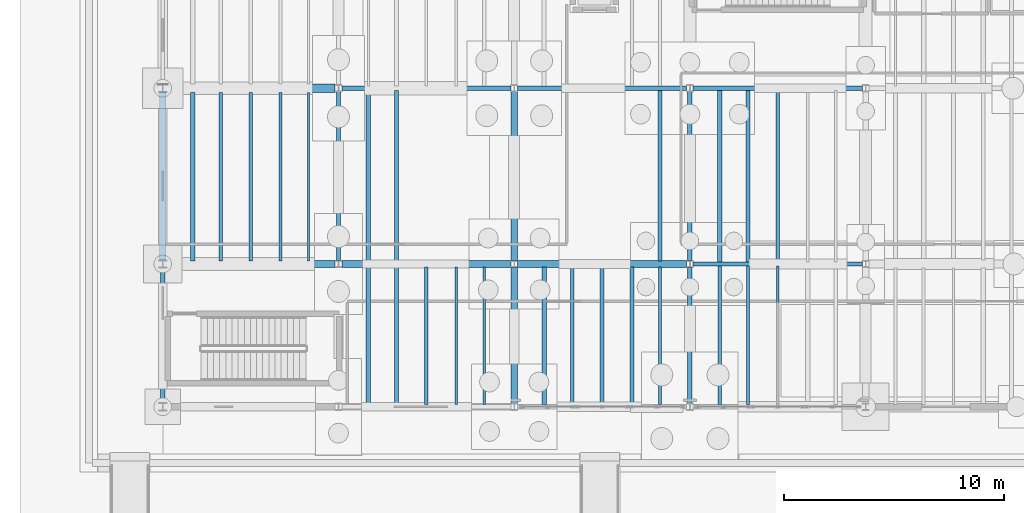
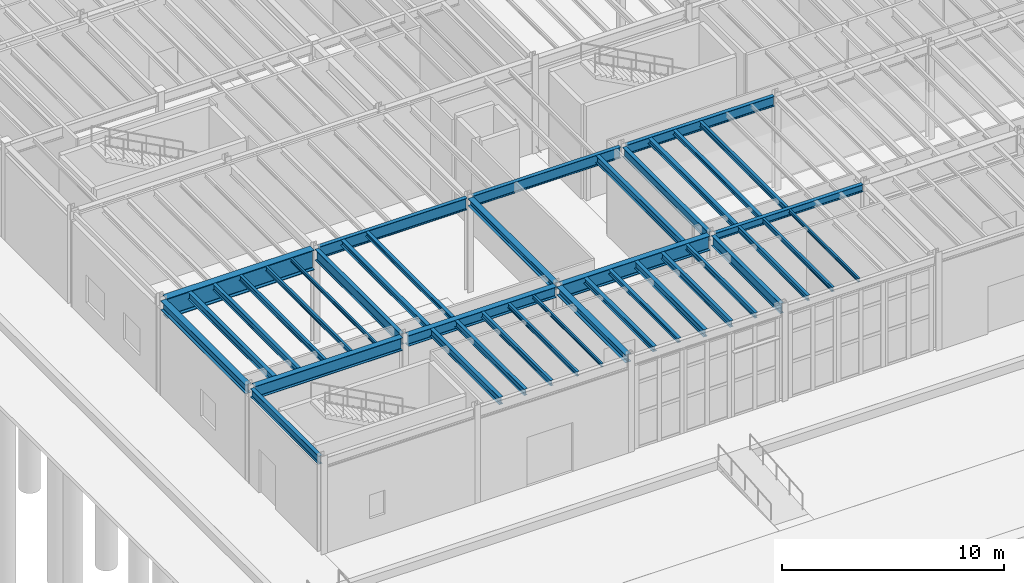
# One storey, part 23 of 86: 39 beams.
"""IFC4 building model written with IfcOpenShell, lengths in metres."""

from ifc_helpers import new_model, si_unit, direction, frame, origin, origin_2d, place, context, subcontext, project, spatial, i_section, extrude, material, material_profile, profile_set, type_object, element, save


model = new_model("IFC4")

# Units and contexts
model_context = context("Model", 3, precision=1e-05, world=origin(), true_north=direction((0.0, 1.0)))
body_context = subcontext(model_context, "Body", "Model", "MODEL_VIEW")
ifc_project = project(units=[si_unit("LENGTHUNIT", "METRE"), si_unit("AREAUNIT", "SQUARE_METRE"), si_unit("VOLUMEUNIT", "CUBIC_METRE"), si_unit("PLANEANGLEUNIT", "RADIAN"), si_unit("MASSUNIT", "GRAM", prefix="KILO"), si_unit("THERMODYNAMICTEMPERATUREUNIT", "KELVIN"), si_unit("POWERUNIT", "WATT")], contexts=[model_context])

# Site, building, storey
site_placement = place(None, origin())
site = spatial("IfcSite", under=ifc_project, at=site_placement, CompositionType="ELEMENT")
building_placement = place(site_placement, origin())
building = spatial("IfcBuilding", under=site, at=building_placement, Name="Zhenchuan Central Fire Station", CompositionType="ELEMENT")
storey_placement = place(building_placement, frame((0.0, 0.0, 0.449951171875)))
storey = spatial("IfcBuildingStorey", under=building, at=storey_placement, Name="L01", CompositionType="ELEMENT", Elevation=0.449951171875)

# Beams
ifc_material = material(Name="Steel Q355B", Category="steel")
ifc_material_profile_1 = material_profile(ifc_material, i_section(OverallWidth=0.300048828125, OverallDepth=0.389892578125, WebThickness=0.010009765625, FlangeThickness=0.01611328125, FilletRadius=0.02001953125, at=origin_2d()), Name="HM 390x300")
ifc_profile_set_1 = profile_set([ifc_material_profile_1], Name="Steel Q355B")
beam_type_1 = type_object("IfcBeamType", Name="BM-HM390-INT", PredefinedType="BEAM", material=ifc_profile_set_1)
beam_1_placement = place(storey_placement, frame((16.0, 6.64990234375, 5.005126953125), z_axis=(0.0, 1.0, 0.0), x_axis=(-1.0, 0.0, 0.0)))
element("IfcBeam", 1, at=beam_1_placement, inside=storey, type_object=beam_type_1, Name="L02 Girder NS 0118", PredefinedType="BEAM", context=body_context, shape_type="SweptSolid", body=[
    extrude(i_section(OverallWidth=0.300048828125, OverallDepth=0.389892578125, WebThickness=0.010009765625, FlangeThickness=0.01611328125, FilletRadius=0.02001953125, at=origin_2d()), origin(), (0.0, 0.0, 1.0), 7.7001953125),
])
ifc_material_profile_2 = material_profile(ifc_material, i_section(OverallWidth=0.300048828125, OverallDepth=0.43994140625, WebThickness=0.010986328125, FlangeThickness=0.01806640625, FilletRadius=0.02197265625, at=origin_2d()), Name="HM 440x300")
ifc_profile_set_2 = profile_set([ifc_material_profile_2], Name="Steel Q355B")
beam_type_2 = type_object("IfcBeamType", Name="BM-HM440-INT", PredefinedType="BEAM", material=ifc_profile_set_2)
beam_2_placement = place(storey_placement, frame((16.0, 0.14990234375, 4.97998046875), z_axis=(0.0, 1.0, 0.0), x_axis=(-1.0, 0.0, 0.0)))
element("IfcBeam", 2, at=beam_2_placement, inside=storey, type_object=beam_type_2, Name="L02 Girder NS 0117", PredefinedType="BEAM", context=body_context, shape_type="SweptSolid", body=[
    extrude(i_section(OverallWidth=0.300048828125, OverallDepth=0.43994140625, WebThickness=0.010986328125, FlangeThickness=0.01806640625, FilletRadius=0.02197265625, at=origin_2d()), origin(), (0.0, 0.0, 1.0), 6.2001953125),
])
ifc_material_profile_3 = material_profile(ifc_material, i_section(OverallWidth=0.300048828125, OverallDepth=0.5, WebThickness=0.010986328125, FlangeThickness=0.01806640625, FilletRadius=0.02197265625, at=origin_2d()), Name="HM 500x300")
ifc_profile_set_3 = profile_set([ifc_material_profile_3], Name="Steel Q355B")
beam_type_3 = type_object("IfcBeamType", Name="BM-HM500", PredefinedType="BEAM", material=ifc_profile_set_3)
beam_3_placement = place(storey_placement, frame((0.0, 6.675048828125, 4.949951171875), z_axis=(0.0, 1.0, 0.0), x_axis=(-1.0, 0.0, 0.0)))
element("IfcBeam", 3, at=beam_3_placement, inside=storey, type_object=beam_type_3, Name="L02 Girder NS 0105", PredefinedType="BEAM", context=body_context, shape_type="SweptSolid", body=[
    extrude(i_section(OverallWidth=0.300048828125, OverallDepth=0.5, WebThickness=0.010986328125, FlangeThickness=0.01806640625, FilletRadius=0.02197265625, at=origin_2d()), origin(), (0.0, 0.0, 1.0), 7.64990234375),
])
ifc_material_profile_4 = material_profile(ifc_material, i_section(OverallWidth=0.300048828125, OverallDepth=0.587890625, WebThickness=0.011962890625, FlangeThickness=0.02001953125, FilletRadius=0.02392578125, at=origin_2d()), Name="HM 588x300")
ifc_profile_set_4 = profile_set([ifc_material_profile_4], Name="Steel Q355B")
beam_type_4 = type_object("IfcBeamType", Name="BM-HM588", PredefinedType="BEAM", material=ifc_profile_set_4)
beam_4_placement = place(storey_placement, frame((8.14990234375, 6.5, 4.906005859375), z_axis=(1.0, 0.0, 0.0), x_axis=(0.0, 1.0, 0.0)))
element("IfcBeam", 4, at=beam_4_placement, inside=storey, type_object=beam_type_4, Name="L02 Girder EW 0011", PredefinedType="BEAM", context=body_context, shape_type="SweptSolid", body=[
    extrude(i_section(OverallWidth=0.300048828125, OverallDepth=0.587890625, WebThickness=0.011962890625, FlangeThickness=0.02001953125, FilletRadius=0.02392578125, at=origin_2d()), origin(), (0.0, 0.0, 1.0), 7.7001953125),
])
ifc_material_profile_5 = material_profile(ifc_material, i_section(OverallWidth=0.199951171875, OverallDepth=0.449951171875, WebThickness=0.009033203125, FlangeThickness=0.013916015625, FilletRadius=0.01806640625, at=origin_2d()), Name="HN 450x200")
ifc_profile_set_5 = profile_set([ifc_material_profile_5], Name="Steel Q355B")
beam_type_5 = type_object("IfcBeamType", Name="BM-HN450-EXT", PredefinedType="BEAM", material=ifc_profile_set_5)
beam_5_placement = place(storey_placement, frame((0.0, 0.175048828125, 4.97509765625), z_axis=(0.0, 1.0, 0.0), x_axis=(-1.0, 0.0, 0.0)))
element("IfcBeam", 5, at=beam_5_placement, inside=storey, type_object=beam_type_5, Name="L02 Girder NS 0104", PredefinedType="BEAM", context=body_context, shape_type="SweptSolid", body=[
    extrude(i_section(OverallWidth=0.199951171875, OverallDepth=0.449951171875, WebThickness=0.009033203125, FlangeThickness=0.013916015625, FilletRadius=0.01806640625, at=origin_2d()), origin(), (0.0, 0.0, 1.0), 6.14990234375),
])
ifc_material_profile_6 = material_profile(ifc_material, i_section(OverallWidth=0.199951171875, OverallDepth=0.5, WebThickness=0.010009765625, FlangeThickness=0.01611328125, FilletRadius=0.02001953125, at=origin_2d()), Name="HN 500x200")
ifc_profile_set_6 = profile_set([ifc_material_profile_6], Name="Steel Q355B")
beam_type_6 = type_object("IfcBeamType", Name="BM-HN500-INT", PredefinedType="BEAM", material=ifc_profile_set_6)
beam_6_placement = place(storey_placement, frame((24.0, 6.64990234375, 4.949951171875), z_axis=(0.0, 1.0, 0.0), x_axis=(-1.0, 0.0, 0.0)))
element("IfcBeam", 6, at=beam_6_placement, inside=storey, type_object=beam_type_6, Name="L02 Girder NS 0125", PredefinedType="BEAM", context=body_context, shape_type="SweptSolid", body=[
    extrude(i_section(OverallWidth=0.199951171875, OverallDepth=0.5, WebThickness=0.010009765625, FlangeThickness=0.01611328125, FilletRadius=0.02001953125, at=origin_2d()), origin(), (0.0, 0.0, 1.0), 7.7001953125),
])
ifc_material_profile_7 = material_profile(ifc_material, i_section(OverallWidth=0.199951171875, OverallDepth=0.550048828125, WebThickness=0.010009765625, FlangeThickness=0.01611328125, FilletRadius=0.02001953125, at=origin_2d()), Name="HN 550x200")
ifc_profile_set_7 = profile_set([ifc_material_profile_7], Name="Steel Q355B")
beam_type_7 = type_object("IfcBeamType", Name="BM-HN550-INT", PredefinedType="BEAM", material=ifc_profile_set_7)
beam_7_placement = place(storey_placement, frame((24.14990234375, 14.5, 4.925048828125), z_axis=(1.0, 0.0, 0.0), x_axis=(0.0, 1.0, 0.0)))
element("IfcBeam", 7, at=beam_7_placement, inside=storey, type_object=beam_type_7, Name="L02 Girder EW 0031", PredefinedType="BEAM", context=body_context, shape_type="SweptSolid", body=[
    extrude(i_section(OverallWidth=0.199951171875, OverallDepth=0.550048828125, WebThickness=0.010009765625, FlangeThickness=0.01611328125, FilletRadius=0.02001953125, at=origin_2d()), origin(), (0.0, 0.0, 1.0), 7.7001953125),
])
beam_8_placement = place(storey_placement, frame((24.0, 0.14990234375, 4.925048828125), z_axis=(0.0, 1.0, 0.0), x_axis=(-1.0, 0.0, 0.0)))
element("IfcBeam", 8, at=beam_8_placement, inside=storey, type_object=beam_type_7, Name="L02 Girder NS 0124", PredefinedType="BEAM", context=body_context, shape_type="SweptSolid", body=[
    extrude(i_section(OverallWidth=0.199951171875, OverallDepth=0.550048828125, WebThickness=0.010009765625, FlangeThickness=0.01611328125, FilletRadius=0.02001953125, at=origin_2d()), origin(), (0.0, 0.0, 1.0), 6.2001953125),
])
ifc_material_profile_8 = material_profile(ifc_material, i_section(OverallWidth=0.199951171875, OverallDepth=0.60009765625, WebThickness=0.010986328125, FlangeThickness=0.01708984375, FilletRadius=0.02197265625, at=origin_2d()), Name="HN 600x200")
ifc_profile_set_8 = profile_set([ifc_material_profile_8], Name="Steel Q355B")
beam_type_8 = type_object("IfcBeamType", Name="BM-HN600-INT", PredefinedType="BEAM", material=ifc_profile_set_8)
for number, where, z_axis, x_axis, name in (
    (9, (16.14990234375, 14.5, 4.900146484375), (1.0, 0.0, 0.0), (0.0, 1.0, 0.0), "L02 Girder EW 0030"),
    (10, (8.0, 6.64990234375, 4.900146484375), (0.0, 1.0, 0.0), (-1.0, 0.0, 0.0), "L02 Girder NS 0112"),
):
    element("IfcBeam", number, at=place(storey_placement, frame(where, z_axis=z_axis, x_axis=x_axis)), inside=storey, type_object=beam_type_8, Name=name, PredefinedType="BEAM", context=body_context, shape_type="SweptSolid", body=[
        extrude(i_section(OverallWidth=0.199951171875, OverallDepth=0.60009765625, WebThickness=0.010986328125, FlangeThickness=0.01708984375, FilletRadius=0.02197265625, at=origin_2d()), origin(), (0.0, 0.0, 1.0), 7.7001953125),
    ])
ifc_material_profile_9 = material_profile(ifc_material, i_section(OverallWidth=0.199951171875, OverallDepth=0.64990234375, WebThickness=0.011962890625, FlangeThickness=0.02001953125, FilletRadius=0.02197265625, at=origin_2d()), Name="HN 650x200")
ifc_profile_set_9 = profile_set([ifc_material_profile_9], Name="Steel Q355B")
beam_type_9 = type_object("IfcBeamType", Name="BM-HN650", PredefinedType="BEAM", material=ifc_profile_set_9)
beam_9_placement = place(storey_placement, frame((8.14990234375, 14.5, 4.875), z_axis=(1.0, 0.0, 0.0), x_axis=(0.0, 1.0, 0.0)))
element("IfcBeam", 11, at=beam_9_placement, inside=storey, type_object=beam_type_9, Name="L02 Girder EW 0029", PredefinedType="BEAM", context=body_context, shape_type="SweptSolid", body=[
    extrude(i_section(OverallWidth=0.199951171875, OverallDepth=0.64990234375, WebThickness=0.011962890625, FlangeThickness=0.02001953125, FilletRadius=0.02197265625, at=origin_2d()), origin(), (0.0, 0.0, 1.0), 7.7001953125),
])
ifc_material_profile_10 = material_profile(ifc_material, i_section(OverallWidth=0.300048828125, OverallDepth=0.699951171875, WebThickness=0.012939453125, FlangeThickness=0.02392578125, FilletRadius=0.02392578125, at=origin_2d()), Name="HN 700x300")
ifc_profile_set_10 = profile_set([ifc_material_profile_10], Name="Steel Q355B")
beam_type_10 = type_object("IfcBeamType", Name="BM-HN700", PredefinedType="BEAM", material=ifc_profile_set_10)
beam_10_placement = place(storey_placement, frame((0.175048828125, 6.5, 4.85009765625), z_axis=(1.0, 0.0, 0.0), x_axis=(0.0, 1.0, 0.0)))
element("IfcBeam", 12, at=beam_10_placement, inside=storey, type_object=beam_type_10, Name="L02 Girder EW 0010", PredefinedType="BEAM", context=body_context, shape_type="SweptSolid", body=[
    extrude(i_section(OverallWidth=0.300048828125, OverallDepth=0.699951171875, WebThickness=0.012939453125, FlangeThickness=0.02392578125, FilletRadius=0.02392578125, at=origin_2d()), origin(), (0.0, 0.0, 1.0), 7.675048828125),
])
ifc_material_profile_11 = material_profile(ifc_material, i_section(OverallWidth=0.300048828125, OverallDepth=0.800048828125, WebThickness=0.013916015625, FlangeThickness=0.02587890625, FilletRadius=0.02587890625, at=origin_2d()), Name="HN 800x300")
ifc_profile_set_11 = profile_set([ifc_material_profile_11], Name="Steel Q355B")
beam_type_11 = type_object("IfcBeamType", Name="BM-HN800", PredefinedType="BEAM", material=ifc_profile_set_11)
beam_11_placement = place(storey_placement, frame((16.14990234375, 6.5, 4.800048828125), z_axis=(1.0, 0.0, 0.0), x_axis=(0.0, 1.0, 0.0)))
element("IfcBeam", 13, at=beam_11_placement, inside=storey, type_object=beam_type_11, Name="L02 Girder EW 0012", PredefinedType="BEAM", context=body_context, shape_type="SweptSolid", body=[
    extrude(i_section(OverallWidth=0.300048828125, OverallDepth=0.800048828125, WebThickness=0.013916015625, FlangeThickness=0.02587890625, FilletRadius=0.02587890625, at=origin_2d()), origin(), (0.0, 0.0, 1.0), 7.7001953125),
])
ifc_material_profile_12 = material_profile(ifc_material, i_section(OverallWidth=0.3798828125, OverallDepth=1.10009765625, WebThickness=0.02001953125, FlangeThickness=0.035888671875, FilletRadius=0.02392578125, at=origin_2d()), Name="PG 1100x380")
ifc_profile_set_12 = profile_set([ifc_material_profile_12], Name="Steel Q355B")
beam_type_12 = type_object("IfcBeamType", Name="BM-PG1100", PredefinedType="BEAM", material=ifc_profile_set_12)
beam_12_placement = place(storey_placement, frame((0.175048828125, 14.5, 4.650146484375), z_axis=(1.0, 0.0, 0.0), x_axis=(0.0, 1.0, 0.0)))
element("IfcBeam", 14, at=beam_12_placement, inside=storey, type_object=beam_type_12, Name="L02 Girder EW 0028", PredefinedType="BEAM", context=body_context, shape_type="SweptSolid", body=[
    extrude(i_section(OverallWidth=0.3798828125, OverallDepth=1.10009765625, WebThickness=0.02001953125, FlangeThickness=0.035888671875, FilletRadius=0.02392578125, at=origin_2d()), origin(), (0.0, 0.0, 1.0), 7.675048828125),
])
ifc_material_profile_13 = material_profile(ifc_material, i_section(OverallWidth=0.175048828125, OverallDepth=0.243896484375, WebThickness=0.007080078125, FlangeThickness=0.010986328125, FilletRadius=0.012939453125, at=origin_2d()), Name="HM 244x175")
ifc_profile_set_13 = profile_set([ifc_material_profile_13], Name="Steel Q355B")
beam_type_13 = type_object("IfcBeamType", Name="JS-HM244", PredefinedType="JOIST", material=ifc_profile_set_13)
beam_13_placement = place(storey_placement, frame((18.639892578125, 0.096923828125, 5.078125), z_axis=(0.0, 1.0, 0.0), x_axis=(-1.0, 0.0, 0.0)))
element("IfcBeam", 15, at=beam_13_placement, inside=storey, type_object=beam_type_13, Name="L02 Secondary Joist 0007", PredefinedType="JOIST", context=body_context, shape_type="SweptSolid", body=[
    extrude(i_section(OverallWidth=0.175048828125, OverallDepth=0.243896484375, WebThickness=0.007080078125, FlangeThickness=0.010986328125, FilletRadius=0.012939453125, at=origin_2d()), origin(), (0.0, 0.0, 1.0), 6.256103515625),
])
beam_14_placement = place(storey_placement, frame((10.639892578125, 6.64697265625, 5.078125), z_axis=(0.0, 1.0, 0.0), x_axis=(-1.0, 0.0, 0.0)))
element("IfcBeam", 16, at=beam_14_placement, inside=storey, type_object=beam_type_13, Name="L02 Secondary Joist 0042", PredefinedType="JOIST", context=body_context, shape_type="SweptSolid", body=[
    extrude(i_section(OverallWidth=0.175048828125, OverallDepth=0.243896484375, WebThickness=0.007080078125, FlangeThickness=0.010986328125, FilletRadius=0.012939453125, at=origin_2d()), origin(), (0.0, 0.0, 1.0), 7.756103515625),
])
beam_15_placement = place(storey_placement, frame((26.639892578125, 6.596923828125, 5.078125), z_axis=(0.0, 1.0, 0.0), x_axis=(-1.0, 0.0, 0.0)))
element("IfcBeam", 17, at=beam_15_placement, inside=storey, type_object=beam_type_13, Name="L02 Secondary Joist 0045", PredefinedType="JOIST", context=body_context, shape_type="SweptSolid", body=[
    extrude(i_section(OverallWidth=0.175048828125, OverallDepth=0.243896484375, WebThickness=0.007080078125, FlangeThickness=0.010986328125, FilletRadius=0.012939453125, at=origin_2d()), origin(), (0.0, 0.0, 1.0), 7.80615234375),
])
ifc_material_profile_14 = material_profile(ifc_material, i_section(OverallWidth=0.199951171875, OverallDepth=0.2939453125, WebThickness=0.008056640625, FlangeThickness=0.011962890625, FilletRadius=0.01611328125, at=origin_2d()), Name="HM 294x200")
ifc_profile_set_14 = profile_set([ifc_material_profile_14], Name="Steel Q355B")
beam_type_14 = type_object("IfcBeamType", Name="JS-HM294", PredefinedType="JOIST", material=ifc_profile_set_14)
beam_16_placement = place(storey_placement, frame((17.360107421875, 0.096923828125, 5.052978515625), z_axis=(0.0, 1.0, 0.0), x_axis=(-1.0, 0.0, 0.0)))
element("IfcBeam", 18, at=beam_16_placement, inside=storey, type_object=beam_type_14, Name="L02 Secondary Joist 0006", PredefinedType="JOIST", context=body_context, shape_type="SweptSolid", body=[
    extrude(i_section(OverallWidth=0.199951171875, OverallDepth=0.2939453125, WebThickness=0.008056640625, FlangeThickness=0.011962890625, FilletRadius=0.01611328125, at=origin_2d()), origin(), (0.0, 0.0, 1.0), 6.256103515625),
])
beam_17_placement = place(storey_placement, frame((9.360107421875, 6.64697265625, 5.052978515625), z_axis=(0.0, 1.0, 0.0), x_axis=(-1.0, 0.0, 0.0)))
element("IfcBeam", 19, at=beam_17_placement, inside=storey, type_object=beam_type_14, Name="L02 Secondary Joist 0041", PredefinedType="JOIST", context=body_context, shape_type="SweptSolid", body=[
    extrude(i_section(OverallWidth=0.199951171875, OverallDepth=0.2939453125, WebThickness=0.008056640625, FlangeThickness=0.011962890625, FilletRadius=0.01611328125, at=origin_2d()), origin(), (0.0, 0.0, 1.0), 7.756103515625),
])
beam_18_placement = place(storey_placement, frame((25.360107421875, 6.596923828125, 5.052978515625), z_axis=(0.0, 1.0, 0.0), x_axis=(-1.0, 0.0, 0.0)))
element("IfcBeam", 20, at=beam_18_placement, inside=storey, type_object=beam_type_14, Name="L02 Secondary Joist 0044", PredefinedType="JOIST", context=body_context, shape_type="SweptSolid", body=[
    extrude(i_section(OverallWidth=0.199951171875, OverallDepth=0.2939453125, WebThickness=0.008056640625, FlangeThickness=0.011962890625, FilletRadius=0.01611328125, at=origin_2d()), origin(), (0.0, 0.0, 1.0), 7.80615234375),
])
ifc_material_profile_15 = material_profile(ifc_material, i_section(OverallWidth=0.10009765625, OverallDepth=0.199951171875, WebThickness=0.005615234375, FlangeThickness=0.008056640625, FilletRadius=0.010986328125, at=origin_2d()), Name="HN 200x100")
ifc_profile_set_15 = profile_set([ifc_material_profile_15], Name="Steel Q355B")
beam_type_15 = type_object("IfcBeamType", Name="JS-HN200", PredefinedType="JOIST", material=ifc_profile_set_15)
beam_19_placement = place(storey_placement, frame((14.639892578125, 0.096923828125, 5.10009765625), z_axis=(0.0, 1.0, 0.0), x_axis=(-1.0, 0.0, 0.0)))
element("IfcBeam", 21, at=beam_19_placement, inside=storey, type_object=beam_type_15, Name="L02 Secondary Joist 0005", PredefinedType="JOIST", context=body_context, shape_type="SweptSolid", body=[
    extrude(i_section(OverallWidth=0.10009765625, OverallDepth=0.199951171875, WebThickness=0.005615234375, FlangeThickness=0.008056640625, FilletRadius=0.010986328125, at=origin_2d()), origin(), (0.0, 0.0, 1.0), 6.256103515625),
])
beam_20_placement = place(storey_placement, frame((28.0, 0.096923828125, 5.10009765625), z_axis=(0.0, 1.0, 0.0), x_axis=(-1.0, 0.0, 0.0)))
element("IfcBeam", 22, at=beam_20_placement, inside=storey, type_object=beam_type_15, Name="L02 Secondary Joist 0013", PredefinedType="JOIST", context=body_context, shape_type="SweptSolid", body=[
    extrude(i_section(OverallWidth=0.10009765625, OverallDepth=0.199951171875, WebThickness=0.005615234375, FlangeThickness=0.008056640625, FilletRadius=0.010986328125, at=origin_2d()), origin(), (0.0, 0.0, 1.0), 6.30615234375),
])
beam_21_placement = place(storey_placement, frame((6.639892578125, 6.64697265625, 5.10009765625), z_axis=(0.0, 1.0, 0.0), x_axis=(-1.0, 0.0, 0.0)))
element("IfcBeam", 23, at=beam_21_placement, inside=storey, type_object=beam_type_15, Name="L02 Secondary Joist 0040", PredefinedType="JOIST", context=body_context, shape_type="SweptSolid", body=[
    extrude(i_section(OverallWidth=0.10009765625, OverallDepth=0.199951171875, WebThickness=0.005615234375, FlangeThickness=0.008056640625, FilletRadius=0.010986328125, at=origin_2d()), origin(), (0.0, 0.0, 1.0), 7.666015625),
])
ifc_material_profile_16 = material_profile(ifc_material, i_section(OverallWidth=0.125, OverallDepth=0.25, WebThickness=0.006103515625, FlangeThickness=0.009033203125, FilletRadius=0.011962890625, at=origin_2d()), Name="HN 250x125")
ifc_profile_set_16 = profile_set([ifc_material_profile_16], Name="Steel Q355B")
beam_type_16 = type_object("IfcBeamType", Name="JS-HN250", PredefinedType="JOIST", material=ifc_profile_set_16)
beam_22_placement = place(storey_placement, frame((13.360107421875, 0.096923828125, 5.074951171875), z_axis=(0.0, 1.0, 0.0), x_axis=(-1.0, 0.0, 0.0)))
element("IfcBeam", 24, at=beam_22_placement, inside=storey, type_object=beam_type_16, Name="L02 Secondary Joist 0004", PredefinedType="JOIST", context=body_context, shape_type="SweptSolid", body=[
    extrude(i_section(OverallWidth=0.125, OverallDepth=0.25, WebThickness=0.006103515625, FlangeThickness=0.009033203125, FilletRadius=0.011962890625, at=origin_2d()), origin(), (0.0, 0.0, 1.0), 6.256103515625),
])
beam_23_placement = place(storey_placement, frame((26.639892578125, 0.096923828125, 5.074951171875), z_axis=(0.0, 1.0, 0.0), x_axis=(-1.0, 0.0, 0.0)))
element("IfcBeam", 25, at=beam_23_placement, inside=storey, type_object=beam_type_16, Name="L02 Secondary Joist 0012", PredefinedType="JOIST", context=body_context, shape_type="SweptSolid", body=[
    extrude(i_section(OverallWidth=0.125, OverallDepth=0.25, WebThickness=0.006103515625, FlangeThickness=0.009033203125, FilletRadius=0.011962890625, at=origin_2d()), origin(), (0.0, 0.0, 1.0), 6.30615234375),
])
beam_24_placement = place(storey_placement, frame((5.360107421875, 6.64697265625, 5.074951171875), z_axis=(0.0, 1.0, 0.0), x_axis=(-1.0, 0.0, 0.0)))
element("IfcBeam", 26, at=beam_24_placement, inside=storey, type_object=beam_type_16, Name="L02 Secondary Joist 0039", PredefinedType="JOIST", context=body_context, shape_type="SweptSolid", body=[
    extrude(i_section(OverallWidth=0.125, OverallDepth=0.25, WebThickness=0.006103515625, FlangeThickness=0.009033203125, FilletRadius=0.011962890625, at=origin_2d()), origin(), (0.0, 0.0, 1.0), 7.666015625),
])
ifc_material_profile_17 = material_profile(ifc_material, i_section(OverallWidth=0.14990234375, OverallDepth=0.300048828125, WebThickness=0.006591796875, FlangeThickness=0.009033203125, FilletRadius=0.012939453125, at=origin_2d()), Name="HN 300x150")
ifc_profile_set_17 = profile_set([ifc_material_profile_17], Name="Steel Q355B")
beam_type_17 = type_object("IfcBeamType", Name="JS-HN300", PredefinedType="JOIST", material=ifc_profile_set_17)
for number, where, z_axis, x_axis, name in (
    (27, (12.0, 0.096923828125, 5.050048828125), (0.0, 1.0, 0.0), (-1.0, 0.0, 0.0), "L02 Secondary Joist 0003"),
    (28, (22.639892578125, 0.096923828125, 5.050048828125), (0.0, 1.0, 0.0), (-1.0, 0.0, 0.0), "L02 Secondary Joist 0010"),
):
    element("IfcBeam", number, at=place(storey_placement, frame(where, z_axis=z_axis, x_axis=x_axis)), inside=storey, type_object=beam_type_17, Name=name, PredefinedType="JOIST", context=body_context, shape_type="SweptSolid", body=[
        extrude(i_section(OverallWidth=0.14990234375, OverallDepth=0.300048828125, WebThickness=0.006591796875, FlangeThickness=0.009033203125, FilletRadius=0.012939453125, at=origin_2d()), origin(), (0.0, 0.0, 1.0), 6.256103515625),
    ])
beam_25_placement = place(storey_placement, frame((25.360107421875, 0.096923828125, 5.050048828125), z_axis=(0.0, 1.0, 0.0), x_axis=(-1.0, 0.0, 0.0)))
element("IfcBeam", 29, at=beam_25_placement, inside=storey, type_object=beam_type_17, Name="L02 Secondary Joist 0011", PredefinedType="JOIST", context=body_context, shape_type="SweptSolid", body=[
    extrude(i_section(OverallWidth=0.14990234375, OverallDepth=0.300048828125, WebThickness=0.006591796875, FlangeThickness=0.009033203125, FilletRadius=0.012939453125, at=origin_2d()), origin(), (0.0, 0.0, 1.0), 6.30615234375),
])
beam_26_placement = place(storey_placement, frame((4.0, 6.64697265625, 5.050048828125), z_axis=(0.0, 1.0, 0.0), x_axis=(-1.0, 0.0, 0.0)))
element("IfcBeam", 30, at=beam_26_placement, inside=storey, type_object=beam_type_17, Name="L02 Secondary Joist 0038", PredefinedType="JOIST", context=body_context, shape_type="SweptSolid", body=[
    extrude(i_section(OverallWidth=0.14990234375, OverallDepth=0.300048828125, WebThickness=0.006591796875, FlangeThickness=0.009033203125, FilletRadius=0.012939453125, at=origin_2d()), origin(), (0.0, 0.0, 1.0), 7.666015625),
])
beam_27_placement = place(storey_placement, frame((28.0, 6.596923828125, 5.050048828125), z_axis=(0.0, 1.0, 0.0), x_axis=(-1.0, 0.0, 0.0)))
element("IfcBeam", 31, at=beam_27_placement, inside=storey, type_object=beam_type_17, Name="L02 Secondary Joist 0046", PredefinedType="JOIST", context=body_context, shape_type="SweptSolid", body=[
    extrude(i_section(OverallWidth=0.14990234375, OverallDepth=0.300048828125, WebThickness=0.006591796875, FlangeThickness=0.009033203125, FilletRadius=0.012939453125, at=origin_2d()), origin(), (0.0, 0.0, 1.0), 7.80615234375),
])
ifc_material_profile_18 = material_profile(ifc_material, i_section(OverallWidth=0.175048828125, OverallDepth=0.35009765625, WebThickness=0.007080078125, FlangeThickness=0.010986328125, FilletRadius=0.013916015625, at=origin_2d()), Name="HN 350x175")
ifc_profile_set_18 = profile_set([ifc_material_profile_18], Name="Steel Q355B")
beam_type_18 = type_object("IfcBeamType", Name="JS-HN350", PredefinedType="JOIST", material=ifc_profile_set_18)
for number, where, z_axis, x_axis, name in (
    (32, (10.639892578125, 0.096923828125, 5.025146484375), (0.0, 1.0, 0.0), (-1.0, 0.0, 0.0), "L02 Secondary Joist 0002"),
    (33, (21.360107421875, 0.096923828125, 5.025146484375), (0.0, 1.0, 0.0), (-1.0, 0.0, 0.0), "L02 Secondary Joist 0009"),
):
    element("IfcBeam", number, at=place(storey_placement, frame(where, z_axis=z_axis, x_axis=x_axis)), inside=storey, type_object=beam_type_18, Name=name, PredefinedType="JOIST", context=body_context, shape_type="SweptSolid", body=[
        extrude(i_section(OverallWidth=0.175048828125, OverallDepth=0.35009765625, WebThickness=0.007080078125, FlangeThickness=0.010986328125, FilletRadius=0.013916015625, at=origin_2d()), origin(), (0.0, 0.0, 1.0), 6.256103515625),
    ])
beam_28_placement = place(storey_placement, frame((2.639892578125, 6.64697265625, 5.025146484375), z_axis=(0.0, 1.0, 0.0), x_axis=(-1.0, 0.0, 0.0)))
element("IfcBeam", 34, at=beam_28_placement, inside=storey, type_object=beam_type_18, Name="L02 Secondary Joist 0037", PredefinedType="JOIST", context=body_context, shape_type="SweptSolid", body=[
    extrude(i_section(OverallWidth=0.175048828125, OverallDepth=0.35009765625, WebThickness=0.007080078125, FlangeThickness=0.010986328125, FilletRadius=0.013916015625, at=origin_2d()), origin(), (0.0, 0.0, 1.0), 7.666015625),
])
ifc_material_profile_19 = material_profile(ifc_material, i_section(OverallWidth=0.199951171875, OverallDepth=0.39990234375, WebThickness=0.008056640625, FlangeThickness=0.012939453125, FilletRadius=0.01611328125, at=origin_2d()), Name="HN 400x200")
ifc_profile_set_19 = profile_set([ifc_material_profile_19], Name="Steel Q355B")
beam_type_19 = type_object("IfcBeamType", Name="JS-HN400", PredefinedType="JOIST", material=ifc_profile_set_19)
for number, where, z_axis, x_axis, name in (
    (35, (9.360107421875, 0.096923828125, 5.0), (0.0, 1.0, 0.0), (-1.0, 0.0, 0.0), "L02 Secondary Joist 0001"),
    (36, (20.0, 0.096923828125, 5.0), (0.0, 1.0, 0.0), (-1.0, 0.0, 0.0), "L02 Secondary Joist 0008"),
):
    element("IfcBeam", number, at=place(storey_placement, frame(where, z_axis=z_axis, x_axis=x_axis)), inside=storey, type_object=beam_type_19, Name=name, PredefinedType="JOIST", context=body_context, shape_type="SweptSolid", body=[
        extrude(i_section(OverallWidth=0.199951171875, OverallDepth=0.39990234375, WebThickness=0.008056640625, FlangeThickness=0.012939453125, FilletRadius=0.01611328125, at=origin_2d()), origin(), (0.0, 0.0, 1.0), 6.256103515625),
    ])
beam_29_placement = place(storey_placement, frame((1.360107421875, 6.64697265625, 5.0), z_axis=(0.0, 1.0, 0.0), x_axis=(-1.0, 0.0, 0.0)))
element("IfcBeam", 37, at=beam_29_placement, inside=storey, type_object=beam_type_19, Name="L02 Secondary Joist 0036", PredefinedType="JOIST", context=body_context, shape_type="SweptSolid", body=[
    extrude(i_section(OverallWidth=0.199951171875, OverallDepth=0.39990234375, WebThickness=0.008056640625, FlangeThickness=0.012939453125, FilletRadius=0.01611328125, at=origin_2d()), origin(), (0.0, 0.0, 1.0), 7.666015625),
])
beam_30_placement = place(storey_placement, frame((22.639892578125, 6.64697265625, 5.0), z_axis=(0.0, 1.0, 0.0), x_axis=(-1.0, 0.0, 0.0)))
element("IfcBeam", 38, at=beam_30_placement, inside=storey, type_object=beam_type_19, Name="L02 Secondary Joist 0043", PredefinedType="JOIST", context=body_context, shape_type="SweptSolid", body=[
    extrude(i_section(OverallWidth=0.199951171875, OverallDepth=0.39990234375, WebThickness=0.008056640625, FlangeThickness=0.012939453125, FilletRadius=0.01611328125, at=origin_2d()), origin(), (0.0, 0.0, 1.0), 7.756103515625),
])
ifc_material_profile_20 = material_profile(ifc_material, i_section(OverallWidth=0.199951171875, OverallDepth=0.39990234375, WebThickness=0.008056640625, FlangeThickness=0.012939453125, FilletRadius=0.01611328125, at=origin_2d()), Name="HN 400x200")
ifc_profile_set_20 = profile_set([ifc_material_profile_20], Name="Steel Q355B")
beam_type_20 = type_object("IfcBeamType", Name="SP-HN400-INT", PredefinedType="SPANDREL", material=ifc_profile_set_20)
beam_31_placement = place(storey_placement, frame((24.14990234375, 6.5, 5.0), z_axis=(1.0, 0.0, 0.0), x_axis=(0.0, 1.0, 0.0)))
element("IfcBeam", 39, at=beam_31_placement, inside=storey, type_object=beam_type_20, Name="L02 Girder EW 0013", PredefinedType="SPANDREL", context=body_context, shape_type="SweptSolid", body=[
    extrude(i_section(OverallWidth=0.199951171875, OverallDepth=0.39990234375, WebThickness=0.008056640625, FlangeThickness=0.012939453125, FilletRadius=0.01611328125, at=origin_2d()), origin(), (0.0, 0.0, 1.0), 7.7001953125),
])

save(model, "model.ifc")
